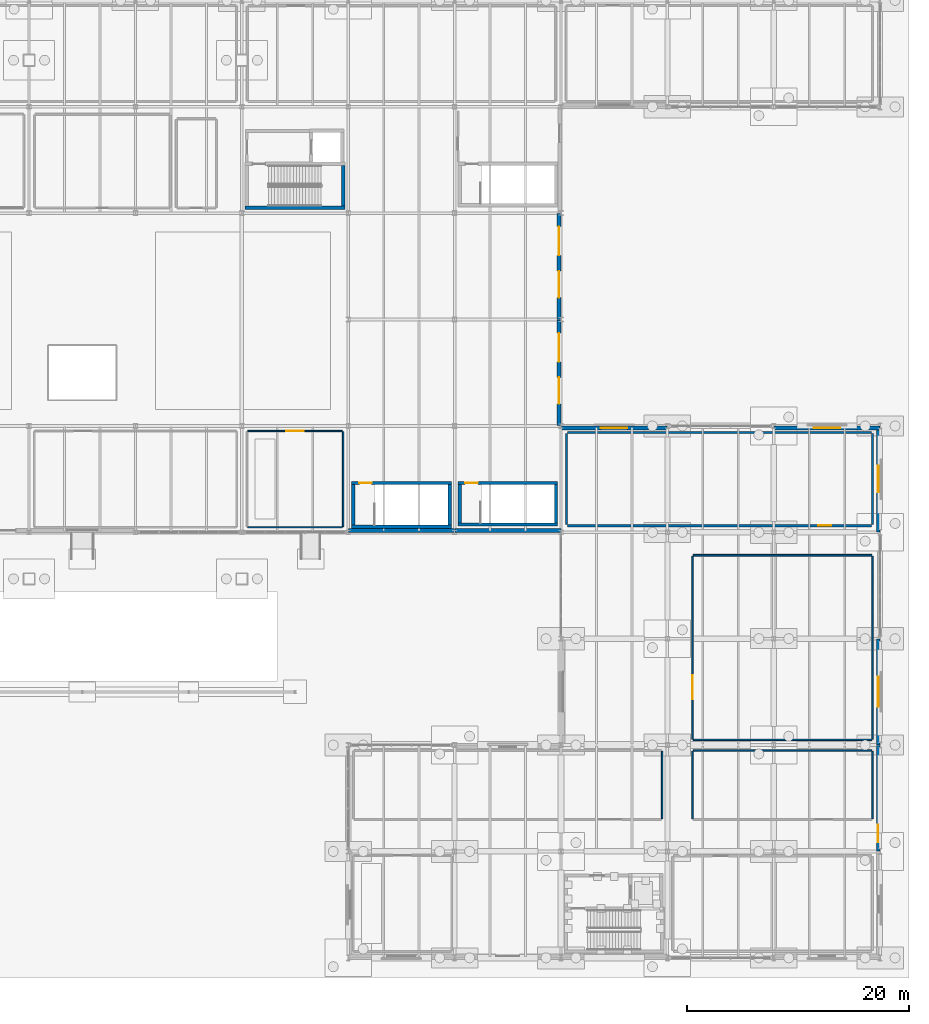
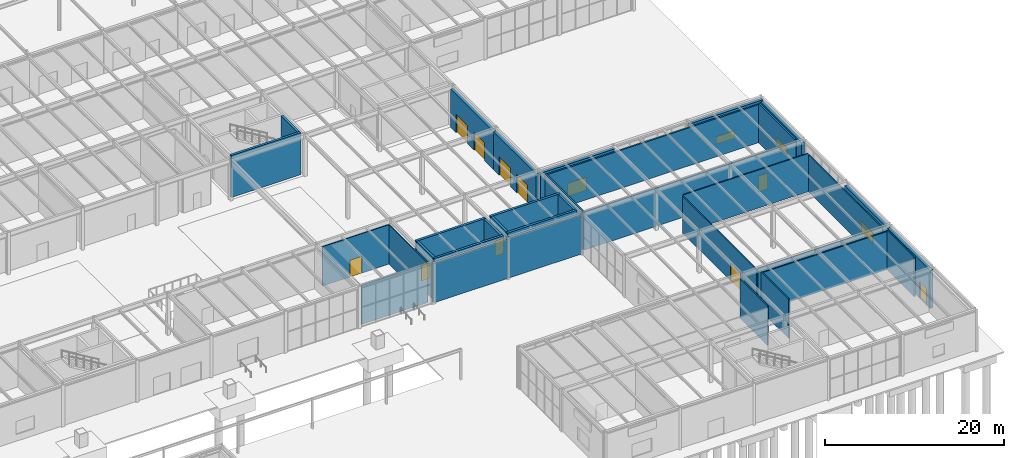
# One storey, part 124 of 142: 34 walls, 10 doors, 4 windows, 14 openings.
"""IFC4 building model written with IfcOpenShell, lengths in metres."""

from ifc_helpers import new_model, si_unit, direction, frame, frame_2d, origin, place, context, subcontext, project, spatial, rectangle, extrude, material, layer, layer_set, type_object, element, fill, save


model = new_model("IFC4")

# Units and contexts
model_context = context("Model", 3, precision=1e-05, world=origin(), true_north=direction((0.0, 1.0)))
body_context = subcontext(model_context, "Body", "Model", "MODEL_VIEW")
ifc_project = project(units=[si_unit("LENGTHUNIT", "METRE"), si_unit("AREAUNIT", "SQUARE_METRE"), si_unit("VOLUMEUNIT", "CUBIC_METRE"), si_unit("PLANEANGLEUNIT", "RADIAN"), si_unit("MASSUNIT", "GRAM", prefix="KILO")], contexts=[model_context])

# Site, building, storey
site_placement = place(None, origin())
site = spatial("IfcSite", under=ifc_project, at=site_placement, CompositionType="ELEMENT")
building_placement = place(site_placement, origin())
building = spatial("IfcBuilding", under=site, at=building_placement, Name="Coralgate Yard Interchange", CompositionType="ELEMENT")
storey_placement = place(building_placement, origin())
storey = spatial("IfcBuildingStorey", under=building, at=storey_placement, Name="L00", CompositionType="ELEMENT", Elevation=0.0)

# Wall
ifc_material_1 = material(Name="Concrete C40/50", Category="concrete")
ifc_layer_1 = layer(ifc_material_1, 0.300048828125)
ifc_layer_set_1 = layer_set([ifc_layer_1], Name="Concrete C40/50")
wall_type_1 = type_object("IfcWallType", Name="WAL-CW300", PredefinedType="SHEAR", material=ifc_layer_set_1)
wall_1_placement = place(storey_placement, frame((144.300048828125, 39.110107421875, 0.0), z_axis=(0.0, 0.0, 1.0), x_axis=(1.0, 0.0, 0.0)))
element("IfcWall", 1, at=wall_1_placement, inside=storey, type_object=wall_type_1, Name="C10 L00 stair south shear wall", PredefinedType="SHEAR", context=body_context, shape_type="SweptSolid", body=[
    extrude(rectangle(XDim=9.0, YDim=0.300048828125, at=frame_2d((4.5, 0.0))), origin(), (0.0, 0.0, 1.0), 5.75),
])

# Wall, opening, door
wall_2_placement = place(storey_placement, frame((153.300048828125, 42.85009765625, 0.0), z_axis=(0.0, 0.0, 1.0), x_axis=(-1.0, 0.0, 0.0)))
wall_2 = element("IfcWall", 2, at=wall_2_placement, inside=storey, type_object=wall_type_1, Name="C10 L00 stair north shear wall", PredefinedType="SHEAR", context=body_context, shape_type="SweptSolid", body=[
    extrude(rectangle(XDim=9.0, YDim=0.300048828125, at=frame_2d((4.5, 0.0))), origin(), (0.0, 0.0, 1.0), 5.75),
])
opening_1_placement = place(wall_2_placement, frame((7.199951171875, 0.0, 0.0)))
opening_1 = element("IfcOpeningElement", 3, at=opening_1_placement, cuts=wall_2, Name="Opening FD-1B", PredefinedType="OPENING", context=body_context, shape_type="SweptSolid", body=[
    extrude(rectangle(XDim=1.14990234375, YDim=2.14990234375, at=frame_2d((0.574951171875, 1.074951171875))), frame((0.0, 0.159912109375, 0.0), z_axis=(0.0, -1.0, 0.0), x_axis=(1.0, 0.0, 0.0)), (0.0, 0.0, 1.0), 0.320068359375),
])
ifc_material_2 = material(Name="Powder-coated steel fire door assembly", Category="steel")
door_type_1 = type_object("IfcDoorType", Name="DOR-FD-1B", OperationType="NOTDEFINED", PredefinedType="DOOR", material=ifc_material_2)
door_1_placement = place(opening_1_placement, origin())
door_1 = element("IfcDoor", 4, at=door_1_placement, inside=storey, type_object=door_type_1, Name="C10 L00 stair fire door", OperationType="SINGLE_SWING_RIGHT", OverallHeight=2.14990234375, OverallWidth=1.14990234375, PredefinedType="DOOR", context=body_context, shape_type="SweptSolid", body=[
    extrude(rectangle(XDim=1.14990234375, YDim=2.14990234375, at=frame_2d((0.574951171875, 1.074951171875))), frame((0.0, 0.02490234375, 0.0), z_axis=(0.0, -1.0, 0.0), x_axis=(1.0, 0.0, 0.0)), (0.0, 0.0, 1.0), 0.050048828125),
])
fill(opening_1, door_1)

# Walls
for number, where, z_axis, x_axis, name in (
    (5, (144.449951171875, 39.260009765625, 0.0), (0.0, 0.0, 1.0), (0.0, 1.0, 0.0), "C10 L00 stair west shear wall"),
    (6, (153.14990234375, 42.699951171875, 0.0), (0.0, 0.0, 1.0), (0.0, -1.0, 0.0), "C10 L00 stair east shear wall"),
):
    element("IfcWall", number, at=place(storey_placement, frame(where, z_axis=z_axis, x_axis=x_axis)), inside=storey, type_object=wall_type_1, Name=name, PredefinedType="SHEAR", context=body_context, shape_type="SweptSolid", body=[
        extrude(rectangle(XDim=3.43994140625, YDim=0.300048828125, at=frame_2d((1.719970703125, 0.0))), origin(), (0.0, 0.0, 1.0), 5.75),
    ])
wall_3_placement = place(storey_placement, frame((134.699951171875, 38.89990234375, 0.0), z_axis=(0.0, 0.0, 1.0), x_axis=(1.0, 0.0, 0.0)))
element("IfcWall", 7, at=wall_3_placement, inside=storey, type_object=wall_type_1, Name="C13 L00 stair south shear wall", PredefinedType="SHEAR", context=body_context, shape_type="SweptSolid", body=[
    extrude(rectangle(XDim=9.0, YDim=0.300048828125, at=frame_2d((4.5, 0.0))), origin(), (0.0, 0.0, 1.0), 5.75),
])

# Wall, opening, door
wall_4_placement = place(storey_placement, frame((143.699951171875, 42.85009765625, 0.0), z_axis=(0.0, 0.0, 1.0), x_axis=(-1.0, 0.0, 0.0)))
wall_4 = element("IfcWall", 8, at=wall_4_placement, inside=storey, type_object=wall_type_1, Name="C13 L00 stair north shear wall", PredefinedType="SHEAR", context=body_context, shape_type="SweptSolid", body=[
    extrude(rectangle(XDim=9.0, YDim=0.300048828125, at=frame_2d((4.5, 0.0))), origin(), (0.0, 0.0, 1.0), 5.75),
])
opening_2_placement = place(wall_4_placement, frame((7.199951171875, 0.0, 0.0)))
opening_2 = element("IfcOpeningElement", 9, at=opening_2_placement, cuts=wall_4, Name="Opening FD-1", PredefinedType="OPENING", context=body_context, shape_type="SweptSolid", body=[
    extrude(rectangle(XDim=1.10009765625, YDim=2.14990234375, at=frame_2d((0.550048828125, 1.074951171875))), frame((0.0, 0.159912109375, 0.0), z_axis=(0.0, -1.0, 0.0), x_axis=(1.0, 0.0, 0.0)), (0.0, 0.0, 1.0), 0.320068359375),
])
door_type_2 = type_object("IfcDoorType", Name="DOR-FD-1", OperationType="NOTDEFINED", PredefinedType="DOOR", material=ifc_material_2)
door_2_placement = place(opening_2_placement, origin())
door_2 = element("IfcDoor", 10, at=door_2_placement, inside=storey, type_object=door_type_2, Name="C13 L00 stair fire door", OperationType="SINGLE_SWING_LEFT", OverallHeight=2.14990234375, OverallWidth=1.10009765625, PredefinedType="DOOR", context=body_context, shape_type="SweptSolid", body=[
    extrude(rectangle(XDim=1.10009765625, YDim=2.14990234375, at=frame_2d((0.550048828125, 1.074951171875))), frame((0.0, 0.02490234375, 0.0), z_axis=(0.0, -1.0, 0.0), x_axis=(1.0, 0.0, 0.0)), (0.0, 0.0, 1.0), 0.050048828125),
])
fill(opening_2, door_2)

# Walls
for number, where, z_axis, x_axis, name in (
    (11, (134.85009765625, 39.050048828125, 0.0), (0.0, 0.0, 1.0), (0.0, 1.0, 0.0), "C13 L00 stair west shear wall"),
    (12, (143.550048828125, 42.699951171875, 0.0), (0.0, 0.0, 1.0), (0.0, -1.0, 0.0), "C13 L00 stair east shear wall"),
):
    element("IfcWall", number, at=place(storey_placement, frame(where, z_axis=z_axis, x_axis=x_axis)), inside=storey, type_object=wall_type_1, Name=name, PredefinedType="SHEAR", context=body_context, shape_type="SweptSolid", body=[
        extrude(rectangle(XDim=3.64990234375, YDim=0.300048828125, at=frame_2d((1.824951171875, 0.0))), origin(), (0.0, 0.0, 1.0), 5.75),
    ])
wall_5_placement = place(storey_placement, frame((125.10009765625, 67.699951171875, 0.0), z_axis=(0.0, 0.0, 1.0), x_axis=(1.0, 0.0, 0.0)))
element("IfcWall", 13, at=wall_5_placement, inside=storey, type_object=wall_type_1, Name="C7 L00 stair south shear wall", PredefinedType="SHEAR", context=body_context, shape_type="SweptSolid", body=[
    extrude(rectangle(XDim=9.0, YDim=0.300048828125, at=frame_2d((4.5, 0.0))), origin(), (0.0, 0.0, 1.0), 5.75),
])
wall_6_placement = place(storey_placement, frame((133.949951171875, 71.5, 0.0), z_axis=(0.0, 0.0, 1.0), x_axis=(0.0, -1.0, 0.0)))
element("IfcWall", 14, at=wall_6_placement, inside=storey, type_object=wall_type_1, Name="C7 L00 stair east shear wall", PredefinedType="SHEAR", context=body_context, shape_type="SweptSolid", body=[
    extrude(rectangle(XDim=3.64990234375, YDim=0.300048828125, at=frame_2d((1.824951171875, 0.0))), origin(), (0.0, 0.0, 1.0), 5.75),
])
ifc_material_3 = material(Name="Precast concrete C40/50", Category="concrete")
ifc_layer_2 = layer(ifc_material_3, 0.35009765625)
ifc_layer_set_2 = layer_set([ifc_layer_2], Name="Precast concrete C40/50")
wall_type_2 = type_object("IfcWallType", Name="WAL-EW-350", PredefinedType="SOLIDWALL", material=ifc_layer_set_2)
for number, where, z_axis, x_axis, name in (
    (15, (143.97998046875, 38.574951171875, 0.0), (0.0, 0.0, 1.0), (-1.0, 0.0, 0.0), "L00 exterior coastal wall S 14-4"),
    (16, (153.580078125, 38.574951171875, 0.0), (0.0, 0.0, 1.0), (-1.0, 0.0, 0.0), "L00 exterior coastal wall S 15-4"),
):
    element("IfcWall", number, at=place(storey_placement, frame(where, z_axis=z_axis, x_axis=x_axis)), inside=storey, type_object=wall_type_2, Name=name, PredefinedType="SOLIDWALL", context=body_context, shape_type="SweptSolid", body=[
        extrude(rectangle(XDim=9.56005859375, YDim=0.35009765625, at=frame_2d((4.780029296875, 0.0))), origin(), (0.0, 0.0, 1.0), 5.39990234375),
    ])

# Wall, openings, doors
wall_7_placement = place(storey_placement, frame((153.425048828125, 57.580078125, 0.0), z_axis=(0.0, 0.0, 1.0), x_axis=(0.0, -1.0, 0.0)))
wall_7 = element("IfcWall", 17, at=wall_7_placement, inside=storey, type_object=wall_type_2, Name="L00 exterior coastal wall E 15-5", PredefinedType="SOLIDWALL", context=body_context, shape_type="SweptSolid", body=[
    extrude(rectangle(XDim=9.56005859375, YDim=0.35009765625, at=frame_2d((4.780029296875, 0.0))), origin(), (0.0, 0.0, 1.0), 5.216796875),
])
opening_3_placement = place(wall_7_placement, frame((1.199951171875, 0.0, 0.0)))
opening_3 = element("IfcOpeningElement", 18, at=opening_3_placement, cuts=wall_7, Name="Opening ED-6", PredefinedType="OPENING", context=body_context, shape_type="SweptSolid", body=[
    extrude(rectangle(XDim=2.60009765625, YDim=2.5, at=frame_2d((1.300048828125, 1.25))), frame((0.0, 0.18505859375, 0.0), z_axis=(0.0, -1.0, 0.0), x_axis=(1.0, 0.0, 0.0)), (0.0, 0.0, 1.0), 0.3701171875),
])
opening_4_placement = place(wall_7_placement, frame((5.199951171875, 0.0, 0.0)))
opening_4 = element("IfcOpeningElement", 19, at=opening_4_placement, cuts=wall_7, Name="Opening ED-2", PredefinedType="OPENING", context=body_context, shape_type="SweptSolid", body=[
    extrude(rectangle(XDim=2.39990234375, YDim=2.5, at=frame_2d((1.199951171875, 1.25))), frame((0.0, 0.18505859375, 0.0), z_axis=(0.0, -1.0, 0.0), x_axis=(1.0, 0.0, 0.0)), (0.0, 0.0, 1.0), 0.3701171875),
])
ifc_material_4 = material(Name="Anodised aluminium concourse entrance double door", Category="aluminium")
door_type_3 = type_object("IfcDoorType", Name="DOR-ED-2", OperationType="NOTDEFINED", PredefinedType="DOOR", material=ifc_material_4)
door_3_placement = place(opening_4_placement, origin())
door_3 = element("IfcDoor", 20, at=door_3_placement, inside=storey, type_object=door_type_3, Name="L00 final exit double door ED-32", OperationType="DOUBLE_DOOR_SINGLE_SWING", OverallHeight=2.5, OverallWidth=2.39990234375, PredefinedType="DOOR", context=body_context, shape_type="SweptSolid", body=[
    extrude(rectangle(XDim=2.39990234375, YDim=2.5, at=frame_2d((1.199951171875, 1.25))), frame((0.0, 0.02490234375, 0.0), z_axis=(0.0, -1.0, 0.0), x_axis=(1.0, 0.0, 0.0)), (0.0, 0.0, 1.0), 0.050048828125),
])
fill(opening_4, door_3)
ifc_material_5 = material(Name="Anodised aluminium main concourse double door", Category="aluminium")
door_type_4 = type_object("IfcDoorType", Name="DOR-ED-6", OperationType="NOTDEFINED", PredefinedType="DOOR", material=ifc_material_5)
door_4_placement = place(opening_3_placement, origin())
door_4 = element("IfcDoor", 21, at=door_4_placement, inside=storey, type_object=door_type_4, Name="L00 final exit double door ED-31", OperationType="DOUBLE_DOOR_SINGLE_SWING", OverallHeight=2.5, OverallWidth=2.60009765625, PredefinedType="DOOR", context=body_context, shape_type="SweptSolid", body=[
    extrude(rectangle(XDim=2.60009765625, YDim=2.5, at=frame_2d((1.300048828125, 1.25))), frame((0.0, 0.02490234375, 0.0), z_axis=(0.0, -1.0, 0.0), x_axis=(1.0, 0.0, 0.0)), (0.0, 0.0, 1.0), 0.050048828125),
])
fill(opening_3, door_4)

wall_8_placement = place(storey_placement, frame((153.425048828125, 67.179931640625, 0.0), z_axis=(0.0, 0.0, 1.0), x_axis=(0.0, -1.0, 0.0)))
wall_8 = element("IfcWall", 22, at=wall_8_placement, inside=storey, type_object=wall_type_2, Name="L00 exterior coastal wall E 15-6", PredefinedType="SOLIDWALL", context=body_context, shape_type="SweptSolid", body=[
    extrude(rectangle(XDim=9.559814453125, YDim=0.35009765625, at=frame_2d((4.77978515625, 0.0))), origin(), (0.0, 0.0, 1.0), 5.216796875),
])
opening_5_placement = place(wall_8_placement, frame((1.199951171875, 0.0, 0.0)))
opening_5 = element("IfcOpeningElement", 23, at=opening_5_placement, cuts=wall_8, Name="Opening ED-6", PredefinedType="OPENING", context=body_context, shape_type="SweptSolid", body=[
    extrude(rectangle(XDim=2.60009765625, YDim=2.5, at=frame_2d((1.300048828125, 1.25))), frame((0.0, 0.18505859375, 0.0), z_axis=(0.0, -1.0, 0.0), x_axis=(1.0, 0.0, 0.0)), (0.0, 0.0, 1.0), 0.3701171875),
])
opening_6_placement = place(wall_8_placement, frame((5.199951171875, 0.0, 0.0)))
opening_6 = element("IfcOpeningElement", 24, at=opening_6_placement, cuts=wall_8, Name="Opening ED-2", PredefinedType="OPENING", context=body_context, shape_type="SweptSolid", body=[
    extrude(rectangle(XDim=2.39990234375, YDim=2.5, at=frame_2d((1.199951171875, 1.25))), frame((0.0, 0.18505859375, 0.0), z_axis=(0.0, -1.0, 0.0), x_axis=(1.0, 0.0, 0.0)), (0.0, 0.0, 1.0), 0.3701171875),
])
door_5_placement = place(opening_6_placement, origin())
door_5 = element("IfcDoor", 25, at=door_5_placement, inside=storey, type_object=door_type_3, Name="L00 final exit double door ED-34", OperationType="DOUBLE_DOOR_SINGLE_SWING", OverallHeight=2.5, OverallWidth=2.39990234375, PredefinedType="DOOR", context=body_context, shape_type="SweptSolid", body=[
    extrude(rectangle(XDim=2.39990234375, YDim=2.5, at=frame_2d((1.199951171875, 1.25))), frame((0.0, 0.02490234375, 0.0), z_axis=(0.0, -1.0, 0.0), x_axis=(1.0, 0.0, 0.0)), (0.0, 0.0, 1.0), 0.050048828125),
])
fill(opening_6, door_5)
door_6_placement = place(opening_5_placement, origin())
door_6 = element("IfcDoor", 26, at=door_6_placement, inside=storey, type_object=door_type_4, Name="L00 final exit double door ED-33", OperationType="DOUBLE_DOOR_SINGLE_SWING", OverallHeight=2.5, OverallWidth=2.60009765625, PredefinedType="DOOR", context=body_context, shape_type="SweptSolid", body=[
    extrude(rectangle(XDim=2.60009765625, YDim=2.5, at=frame_2d((1.300048828125, 1.25))), frame((0.0, 0.02490234375, 0.0), z_axis=(0.0, -1.0, 0.0), x_axis=(1.0, 0.0, 0.0)), (0.0, 0.0, 1.0), 0.050048828125),
])
fill(opening_5, door_6)

# Wall, opening, window
wall_9_placement = place(storey_placement, frame((153.6201171875, 47.824951171875, 0.0), z_axis=(0.0, 0.0, 1.0), x_axis=(1.0, 0.0, 0.0)))
wall_9 = element("IfcWall", 27, at=wall_9_placement, inside=storey, type_object=wall_type_2, Name="L00 exterior coastal wall N 16-4", PredefinedType="SOLIDWALL", context=body_context, shape_type="SweptSolid", body=[
    extrude(rectangle(XDim=9.559814453125, YDim=0.35009765625, at=frame_2d((4.77978515625, 0.0))), origin(), (0.0, 0.0, 1.0), 5.39990234375),
])
opening_7_placement = place(wall_9_placement, frame((3.580078125, 0.0, 0.89990234375)))
opening_7 = element("IfcOpeningElement", 28, at=opening_7_placement, cuts=wall_9, Name="Opening W-05", PredefinedType="OPENING", context=body_context, shape_type="SweptSolid", body=[
    extrude(rectangle(XDim=2.39990234375, YDim=1.800048828125, at=frame_2d((1.199951171875, 0.89990234375))), frame((0.0, 0.18505859375, 0.0), z_axis=(0.0, -1.0, 0.0), x_axis=(1.0, 0.0, 0.0)), (0.0, 0.0, 1.0), 0.3701171875),
])
ifc_material_6 = material(Name="Thermally broken anodised aluminium and solar-control low-E glass", Category="aluminium")
window_type_1 = type_object("IfcWindowType", Name="WIN-W-05", PartitioningType="SINGLE_PANEL", PredefinedType="WINDOW", material=ifc_material_6)
window_1_placement = place(opening_7_placement, origin())
window_1 = element("IfcWindow", 29, at=window_1_placement, inside=storey, type_object=window_type_1, Name="L00 coastal facade window N-16-4", OverallHeight=1.800048828125, OverallWidth=2.39990234375, PartitioningType="SINGLE_PANEL", PredefinedType="WINDOW", context=body_context, shape_type="SweptSolid", body=[
    extrude(rectangle(XDim=2.39990234375, YDim=1.800048828125, at=frame_2d((1.199951171875, 0.89990234375))), frame((0.0, 0.030029296875, 0.0), z_axis=(0.0, -1.0, 0.0), x_axis=(1.0, 0.0, 0.0)), (0.0, 0.0, 1.0), 0.06005859375),
])
fill(opening_7, window_1)

# Wall, opening, door
wall_10_placement = place(storey_placement, frame((182.22509765625, 19.179931640625, 0.0), z_axis=(0.0, 0.0, 1.0), x_axis=(0.0, -1.0, 0.0)))
wall_10 = element("IfcWall", 30, at=wall_10_placement, inside=storey, type_object=wall_type_2, Name="L00 exterior coastal wall E 18-1", PredefinedType="SOLIDWALL", context=body_context, shape_type="SweptSolid", body=[
    extrude(rectangle(XDim=9.559814453125, YDim=0.35009765625, at=frame_2d((4.77978515625, 0.0))), origin(), (0.0, 0.0, 1.0), 5.216796875),
])
opening_8_placement = place(wall_10_placement, frame((7.14990234375, 0.0, 0.0)))
opening_8 = element("IfcOpeningElement", 31, at=opening_8_placement, cuts=wall_10, Name="Opening ED-4", PredefinedType="OPENING", context=body_context, shape_type="SweptSolid", body=[
    extrude(rectangle(XDim=1.60009765625, YDim=2.199951171875, at=frame_2d((0.800048828125, 1.10009765625))), frame((0.0, 0.18505859375, 0.0), z_axis=(0.0, -1.0, 0.0), x_axis=(1.0, 0.0, 0.0)), (0.0, 0.0, 1.0), 0.3701171875),
])
ifc_material_7 = material(Name="Powder-coated steel emergency exit double door", Category="steel")
door_type_5 = type_object("IfcDoorType", Name="DOR-ED-4", OperationType="NOTDEFINED", PredefinedType="DOOR", material=ifc_material_7)
door_7_placement = place(opening_8_placement, origin())
door_7 = element("IfcDoor", 32, at=door_7_placement, inside=storey, type_object=door_type_5, Name="L00 final exit double door ED-39", OperationType="DOUBLE_DOOR_SINGLE_SWING", OverallHeight=2.199951171875, OverallWidth=1.60009765625, PredefinedType="DOOR", context=body_context, shape_type="SweptSolid", body=[
    extrude(rectangle(XDim=1.60009765625, YDim=2.199951171875, at=frame_2d((0.800048828125, 1.10009765625))), frame((0.0, 0.02490234375, 0.0), z_axis=(0.0, -1.0, 0.0), x_axis=(1.0, 0.0, 0.0)), (0.0, 0.0, 1.0), 0.050048828125),
])
fill(opening_8, door_7)

# Wall, opening, window
wall_11_placement = place(storey_placement, frame((182.22509765625, 28.780029296875, 0.0), z_axis=(0.0, 0.0, 1.0), x_axis=(0.0, -1.0, 0.0)))
wall_11 = element("IfcWall", 33, at=wall_11_placement, inside=storey, type_object=wall_type_2, Name="L00 exterior coastal wall E 18-2", PredefinedType="SOLIDWALL", context=body_context, shape_type="SweptSolid", body=[
    extrude(rectangle(XDim=9.56005859375, YDim=0.35009765625, at=frame_2d((4.780029296875, 0.0))), origin(), (0.0, 0.0, 1.0), 5.216796875),
])
opening_9_placement = place(wall_11_placement, frame((3.429931640625, 0.0, 0.89990234375)))
opening_9 = element("IfcOpeningElement", 34, at=opening_9_placement, cuts=wall_11, Name="Opening W-09", PredefinedType="OPENING", context=body_context, shape_type="SweptSolid", body=[
    extrude(rectangle(XDim=2.699951171875, YDim=1.5, at=frame_2d((1.35009765625, 0.75))), frame((0.0, 0.18505859375, 0.0), z_axis=(0.0, -1.0, 0.0), x_axis=(1.0, 0.0, 0.0)), (0.0, 0.0, 1.0), 0.3701171875),
])
window_type_2 = type_object("IfcWindowType", Name="WIN-W-09", PartitioningType="SINGLE_PANEL", PredefinedType="WINDOW", material=ifc_material_6)
window_2_placement = place(opening_9_placement, origin())
window_2 = element("IfcWindow", 35, at=window_2_placement, inside=storey, type_object=window_type_2, Name="L00 coastal facade window E-18-2", OverallHeight=1.5, OverallWidth=2.699951171875, PartitioningType="SINGLE_PANEL", PredefinedType="WINDOW", context=body_context, shape_type="SweptSolid", body=[
    extrude(rectangle(XDim=2.699951171875, YDim=1.5, at=frame_2d((1.35009765625, 0.75))), frame((0.0, 0.030029296875, 0.0), z_axis=(0.0, -1.0, 0.0), x_axis=(1.0, 0.0, 0.0)), (0.0, 0.0, 1.0), 0.06005859375),
])
fill(opening_9, window_2)

wall_12_placement = place(storey_placement, frame((172.820068359375, 47.824951171875, 0.0), z_axis=(0.0, 0.0, 1.0), x_axis=(1.0, 0.0, 0.0)))
wall_12 = element("IfcWall", 36, at=wall_12_placement, inside=storey, type_object=wall_type_2, Name="L00 exterior coastal wall N 18-4", PredefinedType="SOLIDWALL", context=body_context, shape_type="SweptSolid", body=[
    extrude(rectangle(XDim=9.559814453125, YDim=0.35009765625, at=frame_2d((4.77978515625, 0.0))), origin(), (0.0, 0.0, 1.0), 5.39990234375),
])
opening_10_placement = place(wall_12_placement, frame((3.580078125, 0.0, 1.300048828125)))
opening_10 = element("IfcOpeningElement", 37, at=opening_10_placement, cuts=wall_12, Name="Opening W-11", PredefinedType="OPENING", context=body_context, shape_type="SweptSolid", body=[
    extrude(rectangle(XDim=2.39990234375, YDim=1.050048828125, at=frame_2d((1.199951171875, 0.52490234375))), frame((0.0, 0.18505859375, 0.0), z_axis=(0.0, -1.0, 0.0), x_axis=(1.0, 0.0, 0.0)), (0.0, 0.0, 1.0), 0.3701171875),
])
window_type_3 = type_object("IfcWindowType", Name="WIN-W-11", PartitioningType="SINGLE_PANEL", PredefinedType="WINDOW", material=ifc_material_6)
window_3_placement = place(opening_10_placement, origin())
window_3 = element("IfcWindow", 38, at=window_3_placement, inside=storey, type_object=window_type_3, Name="L00 coastal facade window N-18-4", OverallHeight=1.050048828125, OverallWidth=2.39990234375, PartitioningType="SINGLE_PANEL", PredefinedType="WINDOW", context=body_context, shape_type="SweptSolid", body=[
    extrude(rectangle(XDim=2.39990234375, YDim=1.050048828125, at=frame_2d((1.199951171875, 0.52490234375))), frame((0.0, 0.030029296875, 0.0), z_axis=(0.0, -1.0, 0.0), x_axis=(1.0, 0.0, 0.0)), (0.0, 0.0, 1.0), 0.06005859375),
])
fill(opening_10, window_3)

wall_13_placement = place(storey_placement, frame((182.22509765625, 47.97998046875, 0.0), z_axis=(0.0, 0.0, 1.0), x_axis=(0.0, -1.0, 0.0)))
wall_13 = element("IfcWall", 39, at=wall_13_placement, inside=storey, type_object=wall_type_2, Name="L00 exterior coastal wall E 18-4", PredefinedType="SOLIDWALL", context=body_context, shape_type="SweptSolid", body=[
    extrude(rectangle(XDim=9.56005859375, YDim=0.35009765625, at=frame_2d((4.780029296875, 0.0))), origin(), (0.0, 0.0, 1.0), 5.216796875),
])
opening_11_placement = place(wall_13_placement, frame((3.580078125, 0.0, 1.300048828125)))
opening_11 = element("IfcOpeningElement", 40, at=opening_11_placement, cuts=wall_13, Name="Opening W-11", PredefinedType="OPENING", context=body_context, shape_type="SweptSolid", body=[
    extrude(rectangle(XDim=2.39990234375, YDim=1.050048828125, at=frame_2d((1.199951171875, 0.52490234375))), frame((0.0, 0.18505859375, 0.0), z_axis=(0.0, -1.0, 0.0), x_axis=(1.0, 0.0, 0.0)), (0.0, 0.0, 1.0), 0.3701171875),
])
window_4_placement = place(opening_11_placement, origin())
window_4 = element("IfcWindow", 41, at=window_4_placement, inside=storey, type_object=window_type_3, Name="L00 coastal facade window E-18-4", OverallHeight=1.050048828125, OverallWidth=2.39990234375, PartitioningType="SINGLE_PANEL", PredefinedType="WINDOW", context=body_context, shape_type="SweptSolid", body=[
    extrude(rectangle(XDim=2.39990234375, YDim=1.050048828125, at=frame_2d((1.199951171875, 0.52490234375))), frame((0.0, 0.030029296875, 0.0), z_axis=(0.0, -1.0, 0.0), x_axis=(1.0, 0.0, 0.0)), (0.0, 0.0, 1.0), 0.06005859375),
])
fill(opening_11, window_4)

# Wall
ifc_material_8 = material(Name="Lightweight steel-stud retail partition", Category="steel")
ifc_layer_3 = layer(ifc_material_8, 0.1201171875)
ifc_layer_set_3 = layer_set([ifc_layer_3], Name="Lightweight steel-stud retail partition")
wall_type_3 = type_object("IfcWallType", Name="WAL-PW-120", PredefinedType="PARTITIONING", material=ifc_layer_set_3)
wall_14_placement = place(storey_placement, frame((133.8798828125, 38.860107421875, 0.0), z_axis=(0.0, 0.0, 1.0), x_axis=(-1.0, 0.0, 0.0)))
element("IfcWall", 42, at=wall_14_placement, inside=storey, type_object=wall_type_3, Name="Concourse Convenience Retail 04 partition S", PredefinedType="PARTITIONING", context=body_context, shape_type="SweptSolid", body=[
    extrude(rectangle(XDim=8.559814453125, YDim=0.1201171875, at=frame_2d((4.27978515625, 0.0))), origin(), (0.0, 0.0, 1.0), 5.389892578125),
])

# Wall, opening, door
wall_15_placement = place(storey_placement, frame((125.320068359375, 47.5400390625, 0.0), z_axis=(0.0, 0.0, 1.0), x_axis=(1.0, 0.0, 0.0)))
wall_15 = element("IfcWall", 43, at=wall_15_placement, inside=storey, type_object=wall_type_3, Name="Concourse Convenience Retail 04 partition N", PredefinedType="PARTITIONING", context=body_context, shape_type="SweptSolid", body=[
    extrude(rectangle(XDim=8.559814453125, YDim=0.1201171875, at=frame_2d((4.27978515625, 0.0))), origin(), (0.0, 0.0, 1.0), 5.389892578125),
])
opening_12_placement = place(wall_15_placement, frame((3.5048828125, 0.0, 0.0)))
opening_12 = element("IfcOpeningElement", 44, at=opening_12_placement, cuts=wall_15, Name="Opening ID-19", PredefinedType="OPENING", context=body_context, shape_type="SweptSolid", body=[
    extrude(rectangle(XDim=1.550048828125, YDim=2.300048828125, at=frame_2d((0.77490234375, 1.14990234375))), frame((0.0, 0.070068359375, 0.0), z_axis=(0.0, -1.0, 0.0), x_axis=(1.0, 0.0, 0.0)), (0.0, 0.0, 1.0), 0.14013671875),
])
ifc_material_9 = material(Name="Glazed mezzanine retail double door")
door_type_6 = type_object("IfcDoorType", Name="DOR-ID-19", OperationType="NOTDEFINED", PredefinedType="DOOR", material=ifc_material_9)
door_8_placement = place(opening_12_placement, frame((1.550048828125, 0.0, 0.0), z_axis=(0.0, 0.0, 1.0), x_axis=(-1.0, 0.0, 0.0)))
door_8 = element("IfcDoor", 45, at=door_8_placement, inside=storey, type_object=door_type_6, Name="Concourse Convenience Retail 04 door", OperationType="DOUBLE_DOOR_SINGLE_SWING", OverallHeight=2.300048828125, OverallWidth=1.550048828125, PredefinedType="DOOR", context=body_context, shape_type="SweptSolid", body=[
    extrude(rectangle(XDim=1.550048828125, YDim=2.300048828125, at=frame_2d((0.77490234375, 1.14990234375))), frame((0.0, 0.02490234375, 0.0), z_axis=(0.0, -1.0, 0.0), x_axis=(1.0, 0.0, 0.0)), (0.0, 0.0, 1.0), 0.050048828125),
])
fill(opening_12, door_8)

# Walls
wall_16_placement = place(storey_placement, frame((133.93994140625, 47.47998046875, 0.0), z_axis=(0.0, 0.0, 1.0), x_axis=(0.0, -1.0, 0.0)))
element("IfcWall", 46, at=wall_16_placement, inside=storey, type_object=wall_type_3, Name="Concourse Convenience Retail 04 partition E", PredefinedType="PARTITIONING", context=body_context, shape_type="SweptSolid", body=[
    extrude(rectangle(XDim=8.56005859375, YDim=0.1201171875, at=frame_2d((4.280029296875, 0.0))), origin(), (0.0, 0.0, 1.0), 5.389892578125),
])
ifc_material_10 = material(Name="Acoustic twin-stud office partition")
ifc_layer_4 = layer(ifc_material_10, 0.139892578125)
ifc_layer_set_4 = layer_set([ifc_layer_4], Name="Acoustic twin-stud office partition")
wall_type_4 = type_object("IfcWallType", Name="WAL-PW-140", PredefinedType="PARTITIONING", material=ifc_layer_set_4)
wall_17_placement = place(storey_placement, frame((162.72998046875, 18.659912109375, 0.0), z_axis=(0.0, 0.0, 1.0), x_axis=(0.0, -1.0, 0.0)))
element("IfcWall", 47, at=wall_17_placement, inside=storey, type_object=wall_type_4, Name="Cycle Hub Two-Tier Rack Hall South partition E", PredefinedType="PARTITIONING", context=body_context, shape_type="SweptSolid", body=[
    extrude(rectangle(XDim=6.119873046875, YDim=0.139892578125, at=frame_2d((3.06005859375, 0.0))), origin(), (0.0, 0.0, 1.0), 5.389892578125),
])
for number, where, z_axis, x_axis, name in (
    (48, (181.659912109375, 19.669921875, 0.0), (0.0, 0.0, 1.0), (-1.0, 0.0, 0.0), "Cycle Hub Two-Tier Rack Hall East partition S"),
    (49, (165.5400390625, 36.330078125, 0.0), (0.0, 0.0, 1.0), (1.0, 0.0, 0.0), "Cycle Hub Two-Tier Rack Hall East partition N"),
):
    element("IfcWall", number, at=place(storey_placement, frame(where, z_axis=z_axis, x_axis=x_axis)), inside=storey, type_object=wall_type_4, Name=name, PredefinedType="PARTITIONING", context=body_context, shape_type="SweptSolid", body=[
        extrude(rectangle(XDim=16.119873046875, YDim=0.139892578125, at=frame_2d((8.06005859375, 0.0))), origin(), (0.0, 0.0, 1.0), 5.206787109375),
    ])

# Wall, opening, door
wall_18_placement = place(storey_placement, frame((165.469970703125, 19.739990234375, 0.0), z_axis=(0.0, 0.0, 1.0), x_axis=(0.0, 1.0, 0.0)))
wall_18 = element("IfcWall", 50, at=wall_18_placement, inside=storey, type_object=wall_type_4, Name="Cycle Hub Two-Tier Rack Hall East partition W", PredefinedType="PARTITIONING", context=body_context, shape_type="SweptSolid", body=[
    extrude(rectangle(XDim=16.52001953125, YDim=0.139892578125, at=frame_2d((8.260009765625, 0.0))), origin(), (0.0, 0.0, 1.0), 5.056396484375),
])
opening_13_placement = place(wall_18_placement, frame((3.60009765625, 0.0, 0.0)))
opening_13 = element("IfcOpeningElement", 51, at=opening_13_placement, cuts=wall_18, Name="Opening ID-22", PredefinedType="OPENING", context=body_context, shape_type="SweptSolid", body=[
    extrude(rectangle(XDim=2.14990234375, YDim=2.39990234375, at=frame_2d((1.074951171875, 1.199951171875))), frame((0.0, 0.079833984375, 0.0), z_axis=(0.0, -1.0, 0.0), x_axis=(1.0, 0.0, 0.0)), (0.0, 0.0, 1.0), 0.159912109375),
])
ifc_material_11 = material(Name="Wide dining hall glazed double door")
door_type_7 = type_object("IfcDoorType", Name="DOR-ID-22", OperationType="NOTDEFINED", PredefinedType="DOOR", material=ifc_material_11)
door_9_placement = place(opening_13_placement, origin())
door_9 = element("IfcDoor", 52, at=door_9_placement, inside=storey, type_object=door_type_7, Name="Cycle Hub Two-Tier Rack Hall East door", OperationType="DOUBLE_DOOR_SINGLE_SWING", OverallHeight=2.39990234375, OverallWidth=2.14990234375, PredefinedType="DOOR", context=body_context, shape_type="SweptSolid", body=[
    extrude(rectangle(XDim=2.14990234375, YDim=2.39990234375, at=frame_2d((1.074951171875, 1.199951171875))), frame((0.0, 0.02490234375, 0.0), z_axis=(0.0, -1.0, 0.0), x_axis=(1.0, 0.0, 0.0)), (0.0, 0.0, 1.0), 0.050048828125),
])
fill(opening_13, door_9)

# Walls
wall_19_placement = place(storey_placement, frame((181.72998046875, 36.260009765625, 0.0), z_axis=(0.0, 0.0, 1.0), x_axis=(0.0, -1.0, 0.0)))
element("IfcWall", 53, at=wall_19_placement, inside=storey, type_object=wall_type_4, Name="Cycle Hub Two-Tier Rack Hall East partition E", PredefinedType="PARTITIONING", context=body_context, shape_type="SweptSolid", body=[
    extrude(rectangle(XDim=16.52001953125, YDim=0.139892578125, at=frame_2d((8.260009765625, 0.0))), origin(), (0.0, 0.0, 1.0), 5.056396484375),
])
wall_20_placement = place(storey_placement, frame((165.5400390625, 18.72998046875, 0.0), z_axis=(0.0, 0.0, 1.0), x_axis=(1.0, 0.0, 0.0)))
element("IfcWall", 54, at=wall_20_placement, inside=storey, type_object=wall_type_4, Name="Cycle Hire and Active Mobility Desk partition N", PredefinedType="PARTITIONING", context=body_context, shape_type="SweptSolid", body=[
    extrude(rectangle(XDim=16.119873046875, YDim=0.139892578125, at=frame_2d((8.06005859375, 0.0))), origin(), (0.0, 0.0, 1.0), 5.206787109375),
])
for number, where, z_axis, x_axis, name in (
    (55, (165.469970703125, 12.5400390625, 0.0), (0.0, 0.0, 1.0), (0.0, 1.0, 0.0), "Cycle Hire and Active Mobility Desk partition W"),
    (56, (181.72998046875, 18.659912109375, 0.0), (0.0, 0.0, 1.0), (0.0, -1.0, 0.0), "Cycle Hire and Active Mobility Desk partition E"),
):
    element("IfcWall", number, at=place(storey_placement, frame(where, z_axis=z_axis, x_axis=x_axis)), inside=storey, type_object=wall_type_4, Name=name, PredefinedType="PARTITIONING", context=body_context, shape_type="SweptSolid", body=[
        extrude(rectangle(XDim=6.119873046875, YDim=0.139892578125, at=frame_2d((3.06005859375, 0.0))), origin(), (0.0, 0.0, 1.0), 5.389892578125),
    ])

# Wall, opening, door
ifc_material_12 = material(Name="Concrete blockwork masonry", Category="masonry")
ifc_layer_5 = layer(ifc_material_12, 0.199951171875)
ifc_layer_set_5 = layer_set([ifc_layer_5], Name="Concrete blockwork masonry")
wall_type_5 = type_object("IfcWallType", Name="WAL-PW-200", PredefinedType="PARTITIONING", material=ifc_layer_set_5)
wall_21_placement = place(storey_placement, frame((181.60009765625, 39.0, 0.0), z_axis=(0.0, 0.0, 1.0), x_axis=(-1.0, 0.0, 0.0)))
wall_21 = element("IfcWall", 57, at=wall_21_placement, inside=storey, type_object=wall_type_5, Name="Electric Bike Charging Room partition S", PredefinedType="PARTITIONING", context=body_context, shape_type="SweptSolid", body=[
    extrude(rectangle(XDim=27.400146484375, YDim=0.199951171875, at=frame_2d((13.7001953125, 0.0))), origin(), (0.0, 0.0, 1.0), 5.206787109375),
])
opening_14_placement = place(wall_21_placement, frame((3.60009765625, 0.0, 0.0)))
opening_14 = element("IfcOpeningElement", 58, at=opening_14_placement, cuts=wall_21, Name="Opening ID-05", PredefinedType="OPENING", context=body_context, shape_type="SweptSolid", body=[
    extrude(rectangle(XDim=1.199951171875, YDim=2.199951171875, at=frame_2d((0.60009765625, 1.10009765625))), frame((0.0, 0.10986328125, 0.0), z_axis=(0.0, -1.0, 0.0), x_axis=(1.0, 0.0, 0.0)), (0.0, 0.0, 1.0), 0.219970703125),
])
ifc_material_13 = material(Name="Powder-coated steel plant and store fire door", Category="steel")
door_type_8 = type_object("IfcDoorType", Name="DOR-ID-05", OperationType="NOTDEFINED", PredefinedType="DOOR", material=ifc_material_13)
door_10_placement = place(opening_14_placement, origin())
door_10 = element("IfcDoor", 59, at=door_10_placement, inside=storey, type_object=door_type_8, Name="Electric Bike Charging Room door", OperationType="SINGLE_SWING_LEFT", OverallHeight=2.199951171875, OverallWidth=1.199951171875, PredefinedType="DOOR", context=body_context, shape_type="SweptSolid", body=[
    extrude(rectangle(XDim=1.199951171875, YDim=2.199951171875, at=frame_2d((0.60009765625, 1.10009765625))), frame((0.0, 0.02490234375, 0.0), z_axis=(0.0, -1.0, 0.0), x_axis=(1.0, 0.0, 0.0)), (0.0, 0.0, 1.0), 0.050048828125),
])
fill(opening_14, door_10)

# Walls
wall_22_placement = place(storey_placement, frame((154.199951171875, 47.39990234375, 0.0), z_axis=(0.0, 0.0, 1.0), x_axis=(1.0, 0.0, 0.0)))
element("IfcWall", 60, at=wall_22_placement, inside=storey, type_object=wall_type_5, Name="Electric Bike Charging Room partition N", PredefinedType="PARTITIONING", context=body_context, shape_type="SweptSolid", body=[
    extrude(rectangle(XDim=27.400146484375, YDim=0.199951171875, at=frame_2d((13.7001953125, 0.0))), origin(), (0.0, 0.0, 1.0), 5.206787109375),
])
for number, where, z_axis, x_axis, name in (
    (61, (154.10009765625, 39.10009765625, 0.0), (0.0, 0.0, 1.0), (0.0, 1.0, 0.0), "Electric Bike Charging Room partition W"),
    (62, (181.699951171875, 47.300048828125, 0.0), (0.0, 0.0, 1.0), (0.0, -1.0, 0.0), "Electric Bike Charging Room partition E"),
):
    element("IfcWall", number, at=place(storey_placement, frame(where, z_axis=z_axis, x_axis=x_axis)), inside=storey, type_object=wall_type_5, Name=name, PredefinedType="PARTITIONING", context=body_context, shape_type="SweptSolid", body=[
        extrude(rectangle(XDim=8.199951171875, YDim=0.199951171875, at=frame_2d((4.10009765625, 0.0))), origin(), (0.0, 0.0, 1.0), 5.389892578125),
    ])

save(model, "model.ifc")
